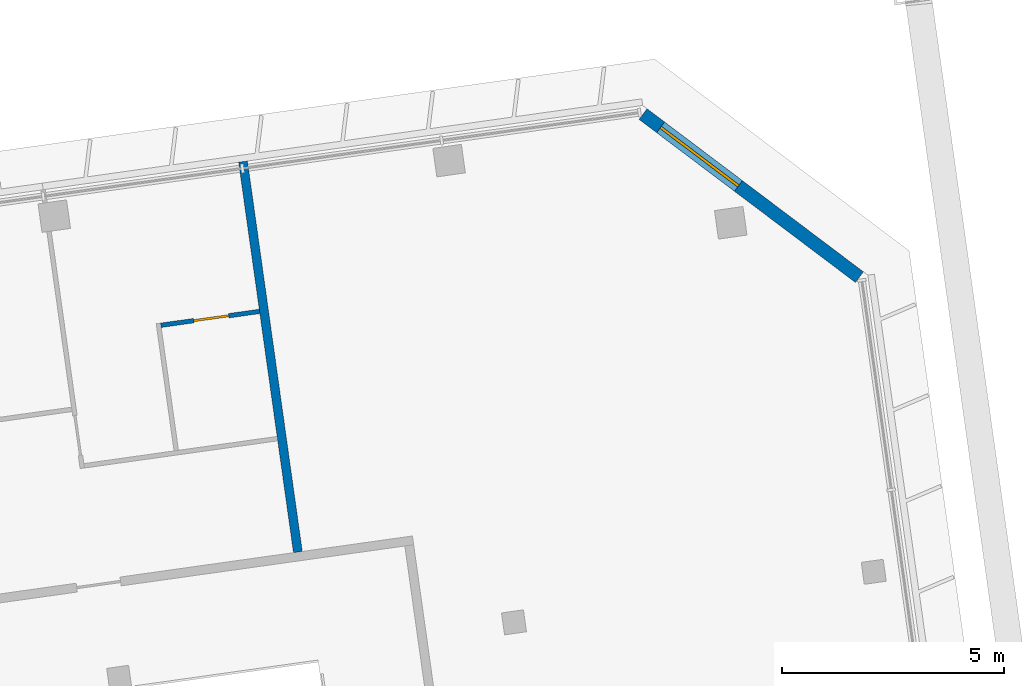
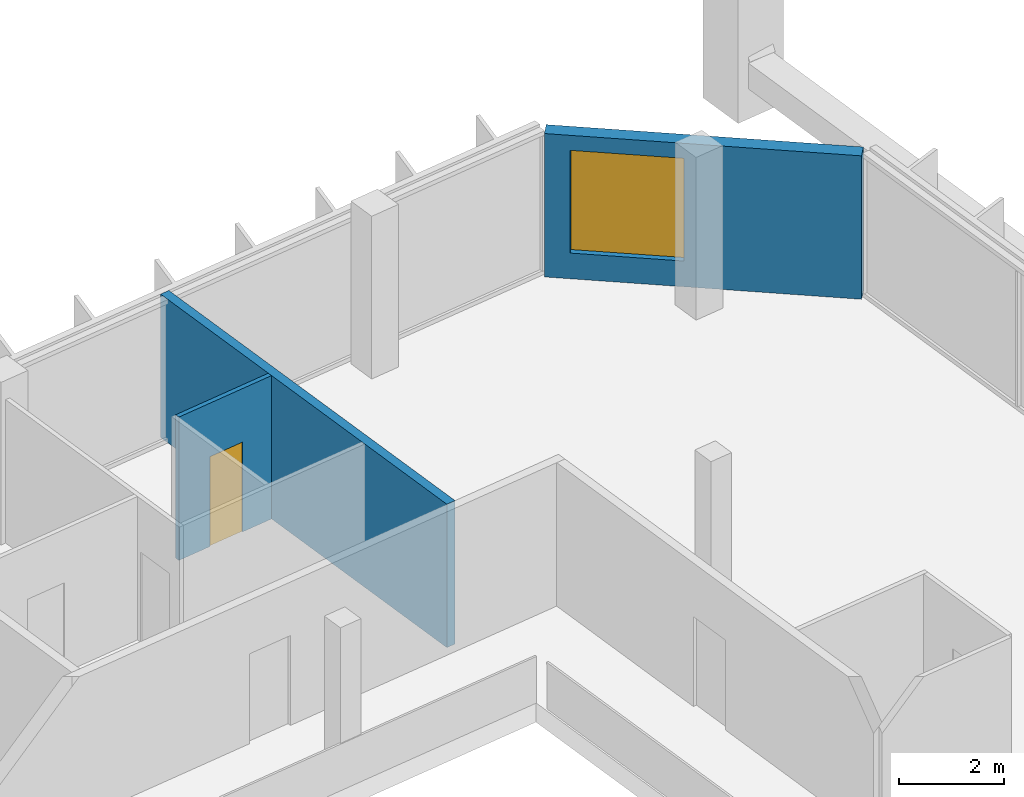
# One storey, part 21 of 26: 3 walls, 1 door, 1 window, 2 openings.
"""IFC4 building model written with IfcOpenShell, lengths in metres."""

from ifc_helpers import new_model, si_unit, direction, frame, frame_2d, origin, place, context, subcontext, project, spatial, rectangle, extrude, material, layer, layer_set, type_object, element, fill, save


model = new_model("IFC4")

# Units and contexts
model_context = context("Model", 3, precision=1e-05, world=origin(), true_north=direction((0.0, 1.0)))
body_context = subcontext(model_context, "Body", "Model", "MODEL_VIEW")
ifc_project = project(units=[si_unit("LENGTHUNIT", "METRE"), si_unit("AREAUNIT", "SQUARE_METRE"), si_unit("VOLUMEUNIT", "CUBIC_METRE"), si_unit("PLANEANGLEUNIT", "RADIAN"), si_unit("MASSUNIT", "GRAM", prefix="KILO")], contexts=[model_context])

# Site, building, storey
site_placement = place(None, origin())
site = spatial("IfcSite", under=ifc_project, at=site_placement, CompositionType="ELEMENT")
building_placement = place(site_placement, origin())
building = spatial("IfcBuilding", under=site, at=building_placement, Name="Mirante Cascada Hotel Towers", CompositionType="ELEMENT")
storey_placement = place(building_placement, frame((0.0, 0.0, 216.6)))
storey = spatial("IfcBuildingStorey", under=building, at=storey_placement, Name="L51", CompositionType="ELEMENT", Elevation=216.6)

# Wall
ifc_material_1 = material(Name="Fire-rated plasterboard on metal studs")
ifc_layer_1 = layer(ifc_material_1, 0.2)
ifc_layer_set_1 = layer_set([ifc_layer_1], Name="Compartment wall 200 EI 120")
wall_type_1 = type_object("IfcWallType", Name="Compartment wall 200 EI 120", PredefinedType="PARTITIONING", material=ifc_layer_set_1)
wall_1_placement = place(storey_placement, frame((58.4401, 21.1837, 0.0), z_axis=(0.0, 0.0, 1.0), x_axis=(0.1391794, -0.9902672, 0.0)))
element("IfcWall", 1, at=wall_1_placement, inside=storey, type_object=wall_type_1, Name="Wall 2-L51-51", PredefinedType="PARTITIONING", context=body_context, shape_type="SweptSolid", body=[
    extrude(rectangle(XDim=8.9, YDim=0.2, at=frame_2d((4.45, 0.0))), origin(), (0.0, 0.0, 1.0), 3.35),
])

# Wall, opening, door
ifc_material_2 = material(Name="Plasterboard on metal studs")
ifc_layer_2 = layer(ifc_material_2, 0.1)
ifc_layer_set_2 = layer_set([ifc_layer_2], Name="Partition 100")
wall_type_2 = type_object("IfcWallType", Name="Partition 100", PredefinedType="PARTITIONING", material=ifc_layer_set_2)
wall_2_placement = place(storey_placement, frame((56.5862, 17.4898, 0.0), z_axis=(0.0, 0.0, 1.0), x_axis=(0.9902705, 0.1391561, 0.0)))
wall_2 = element("IfcWall", 2, at=wall_2_placement, inside=storey, type_object=wall_type_2, Name="Wall 2-L51-26", PredefinedType="PARTITIONING", context=body_context, shape_type="SweptSolid", body=[
    extrude(rectangle(XDim=2.25, YDim=0.1, at=frame_2d((1.125, 0.0))), origin(), (0.0, 0.0, 1.0), 3.35),
])
opening_1_placement = place(wall_2_placement, frame((0.75, 0.0, 0.0)))
opening_1 = element("IfcOpeningElement", 3, at=opening_1_placement, cuts=wall_2, Name="Opening D2-L51-13", PredefinedType="OPENING", context=body_context, shape_type="SweptSolid", body=[
    extrude(rectangle(XDim=0.8, YDim=2.1, at=frame_2d((0.4, 1.05))), frame((0.0, 0.05, 0.0), z_axis=(0.0, -1.0, 0.0), x_axis=(1.0, 0.0, 0.0)), (0.0, 0.0, 1.0), 0.1),
])
ifc_material_3 = material(Name="Timber door leaf", Category="wood")
door_type = type_object("IfcDoorType", Name="Bathroom door DG4 800x2100", OperationType="SINGLE_SWING_LEFT", PredefinedType="DOOR", material=ifc_material_3)
door_placement = place(opening_1_placement, origin())
door = element("IfcDoor", 4, at=door_placement, inside=storey, type_object=door_type, Name="Door D2-L51-13", OperationType="SINGLE_SWING_LEFT", OverallHeight=2.1, OverallWidth=0.8, PredefinedType="DOOR", context=body_context, shape_type="SweptSolid", body=[
    extrude(rectangle(XDim=0.8, YDim=2.1, at=frame_2d((0.4, 1.05))), frame((0.0, 0.025, 0.0), z_axis=(0.0, -1.0, 0.0), x_axis=(1.0, 0.0, 0.0)), (0.0, 0.0, 1.0), 0.05),
])
fill(opening_1, door)

# Wall, opening, window
ifc_material_4 = material(Name="Precast concrete C40/50", Category="concrete")
ifc_layer_3 = layer(ifc_material_4, 0.3)
ifc_layer_set_3 = layer_set([ifc_layer_3], Name="Precast concrete C40/50 cladding wall 300")
wall_type_3 = type_object("IfcWallType", Name="Precast concrete C40/50 cladding wall 300", PredefinedType="STANDARD", material=ifc_layer_set_3)
wall_3_placement = place(storey_placement, frame((72.3546, 18.5766, 0.0), z_axis=(0.0, 0.0, 1.0), x_axis=(-0.7986362, 0.6018141, 0.0)))
wall_3 = element("IfcWall", 5, at=wall_3_placement, inside=storey, type_object=wall_type_3, Name="Corner cladding wall T2 L51 outer front", PredefinedType="STANDARD", context=body_context, shape_type="SweptSolid", body=[
    extrude(rectangle(XDim=6.1157, YDim=0.3, at=frame_2d((3.0578, 0.0))), origin(), (0.0, 0.0, 1.0), 3.35),
])
opening_2_placement = place(wall_3_placement, frame((3.4182, 0.0, 0.6)))
opening_2 = element("IfcOpeningElement", 6, at=opening_2_placement, cuts=wall_3, Name="Opening W2-51-03", PredefinedType="OPENING", context=body_context, shape_type="SweptSolid", body=[
    extrude(rectangle(XDim=2.2, YDim=2.4, at=frame_2d((1.1, 1.2))), frame((0.0, 0.15, 0.0), z_axis=(0.0, -1.0, 0.0), x_axis=(1.0, 0.0, 0.0)), (0.0, 0.0, 1.0), 0.3),
])
ifc_material_5 = material(Name="Aluminium frame with clear double glazing", Category="aluminium")
window_type = type_object("IfcWindowType", Name="Corner suite window 2200x2400", PartitioningType="DOUBLE_PANEL_VERTICAL", PredefinedType="WINDOW", material=ifc_material_5)
window_placement = place(opening_2_placement, origin())
window = element("IfcWindow", 7, at=window_placement, inside=storey, type_object=window_type, Name="Window W2-51-03", OverallHeight=2.4, OverallWidth=2.2, PartitioningType="SINGLE_PANEL", PredefinedType="WINDOW", context=body_context, shape_type="SweptSolid", body=[
    extrude(rectangle(XDim=2.2, YDim=2.4, at=frame_2d((1.1, 1.2))), frame((0.0, 0.03, 0.0), z_axis=(0.0, -1.0, 0.0), x_axis=(1.0, 0.0, 0.0)), (0.0, 0.0, 1.0), 0.06),
])
fill(opening_2, window)

save(model, "model.ifc")
